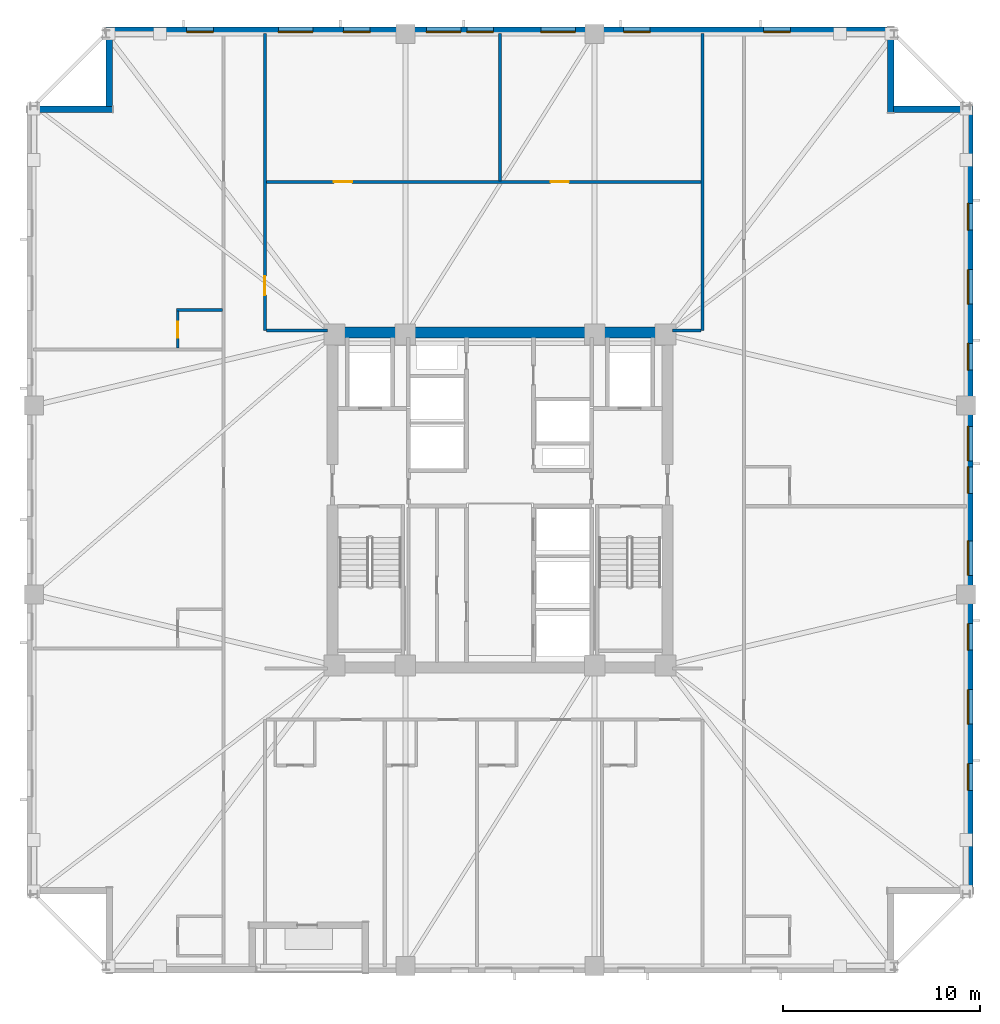
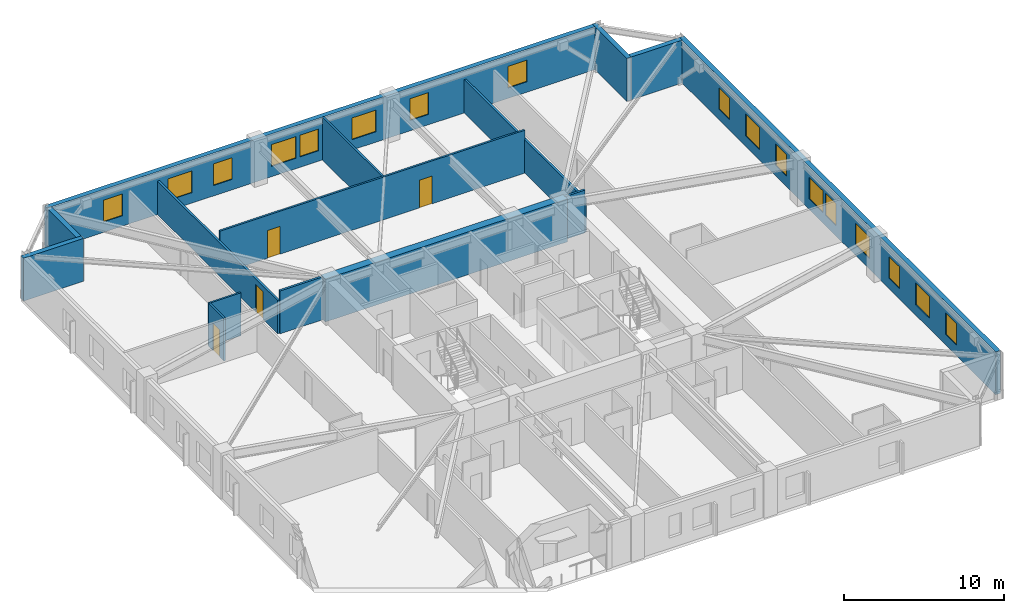
# One storey, part 5 of 11: 17 windows, 15 walls, 4 doors, 21 openings.
"""IFC4 building model written with IfcOpenShell, lengths in metres."""

from ifc_helpers import new_model, si_unit, direction, frame, frame_2d, origin, place, context, subcontext, project, spatial, rectangle, extrude, material, layer, layer_set, type_object, element, fill, save


model = new_model("IFC4")

# Units and contexts
model_context = context("Model", 3, precision=1e-05, world=origin(), true_north=direction((0.0, 1.0)))
body_context = subcontext(model_context, "Body", "Model", "MODEL_VIEW")
ifc_project = project(units=[si_unit("LENGTHUNIT", "METRE"), si_unit("AREAUNIT", "SQUARE_METRE"), si_unit("VOLUMEUNIT", "CUBIC_METRE"), si_unit("PLANEANGLEUNIT", "RADIAN"), si_unit("MASSUNIT", "GRAM", prefix="KILO")], contexts=[model_context])

# Site, building, storey
site_placement = place(None, origin())
site = spatial("IfcSite", under=ifc_project, at=site_placement, CompositionType="ELEMENT")
building_placement = place(site_placement, origin())
building = spatial("IfcBuilding", under=site, at=building_placement, Name="Cairnveth Concourse Tower", CompositionType="ELEMENT")
storey_placement = place(building_placement, frame((0.0, 0.0, 141.0)))
storey = spatial("IfcBuildingStorey", under=building, at=storey_placement, Name="L38", CompositionType="ELEMENT", Elevation=141.0)

# Wall, opening, door
ifc_material_1 = material(Name="Gypsum Plasterboard Partition", Category="gypsum")
ifc_layer_1 = layer(ifc_material_1, 0.159912109375)
ifc_layer_set_1 = layer_set([ifc_layer_1], Name="Gypsum Plasterboard Partition")
wall_type_1 = type_object("IfcWallType", Name="ACOUSTIC PARTY WALL 180", PredefinedType="PARTITIONING", material=ifc_layer_set_1)
wall_1_placement = place(storey_placement, frame((40.074951171875, 47.60009765625, 0.0), z_axis=(0.0, 0.0, 1.0), x_axis=(0.0, 1.0, 0.0)))
wall_1 = element("IfcWall", 1, at=wall_1_placement, inside=storey, type_object=wall_type_1, Name="Interior Wall IW-L38-038", PredefinedType="PARTITIONING", context=body_context, shape_type="SweptSolid", body=[
    extrude(rectangle(XDim=15.074951171875, YDim=0.159912109375, at=frame_2d((7.53759765625, 0.0))), origin(), (0.0, 0.0, 1.0), 2.554931640625),
])
opening_1_placement = place(wall_1_placement, frame((1.800048828125, 0.0, 0.0)))
opening_1 = element("IfcOpeningElement", 2, at=opening_1_placement, cuts=wall_1, Name="Opening ID11", PredefinedType="OPENING", context=body_context, shape_type="SweptSolid", body=[
    extrude(rectangle(XDim=0.9599609375, YDim=2.1201171875, at=frame_2d((0.47998046875, 1.06005859375))), frame((0.0, 0.08984375, 0.0), z_axis=(0.0, -1.0, 0.0), x_axis=(1.0, 0.0, 0.0)), (0.0, 0.0, 1.0), 0.179931640625),
])
ifc_material_2 = material(Name="Solid Core Hardwood Timber Leaf", Category="wood")
door_type_1 = type_object("IfcDoorType", Name="INTERIOR SINGLE DOOR 960X2150", OperationType="NOTDEFINED", PredefinedType="DOOR", material=ifc_material_2)
door_1_placement = place(opening_1_placement, origin())
door_1 = element("IfcDoor", 3, at=door_1_placement, inside=storey, type_object=door_type_1, Name="Interior Door DR-L38-015", OperationType="SINGLE_SWING_LEFT", OverallHeight=2.1201171875, OverallWidth=0.9599609375, PredefinedType="DOOR", context=body_context, shape_type="SweptSolid", body=[
    extrude(rectangle(XDim=0.9599609375, YDim=2.1201171875, at=frame_2d((0.47998046875, 1.06005859375))), frame((0.0, 0.02490234375, 0.0), z_axis=(0.0, -1.0, 0.0), x_axis=(1.0, 0.0, 0.0)), (0.0, 0.0, 1.0), 0.050048828125),
])
fill(opening_1, door_1)

# Walls
wall_2_placement = place(storey_placement, frame((40.139892578125, 47.60009765625, 0.0), z_axis=(0.0, 0.0, 1.0), x_axis=(1.0, 0.0, 0.0)))
element("IfcWall", 4, at=wall_2_placement, inside=storey, type_object=wall_type_1, Name="Interior Wall IW-L38-040", PredefinedType="PARTITIONING", context=body_context, shape_type="SweptSolid", body=[
    extrude(rectangle(XDim=3.09521484375, YDim=0.159912109375, at=frame_2d((1.547607421875, 0.0))), origin(), (0.0, 0.0, 1.0), 3.280029296875),
])
wall_3_placement = place(storey_placement, frame((62.27490234375, 47.60009765625, 0.0), z_axis=(0.0, 0.0, 1.0), x_axis=(0.0, 1.0, 0.0)))
element("IfcWall", 5, at=wall_3_placement, inside=storey, type_object=wall_type_1, Name="Interior Wall IW-L38-043", PredefinedType="PARTITIONING", context=body_context, shape_type="SweptSolid", body=[
    extrude(rectangle(XDim=15.074951171875, YDim=0.159912109375, at=frame_2d((7.53759765625, 0.0))), origin(), (0.0, 0.0, 1.0), 2.554931640625),
])
wall_4_placement = place(storey_placement, frame((60.764892578125, 47.60009765625, 0.0), z_axis=(0.0, 0.0, 1.0), x_axis=(1.0, 0.0, 0.0)))
element("IfcWall", 6, at=wall_4_placement, inside=storey, type_object=wall_type_1, Name="Interior Wall IW-L38-045", PredefinedType="PARTITIONING", context=body_context, shape_type="SweptSolid", body=[
    extrude(rectangle(XDim=1.445068359375, YDim=0.159912109375, at=frame_2d((0.72265625, 0.0))), origin(), (0.0, 0.0, 1.0), 3.280029296875),
])
ifc_material_3 = material(Name="Concrete N80 (80 MPa)", Category="concrete")
ifc_layer_2 = layer(ifc_material_3, 0.550048828125)
ifc_layer_set_2 = layer_set([ifc_layer_2], Name="Concrete N80 (80 MPa)")
wall_type_2 = type_object("IfcWallType", Name="CORE SHEAR WALL 550", PredefinedType="SHEAR", material=ifc_layer_set_2)
wall_5_placement = place(storey_placement, frame((43.22509765625, 47.5, 0.0), z_axis=(0.0, 0.0, 1.0), x_axis=(1.0, 0.0, 0.0)))
element("IfcWall", 7, at=wall_5_placement, inside=storey, type_object=wall_type_2, Name="Core North Shear Wall L38", PredefinedType="SHEAR", context=body_context, shape_type="SweptSolid", body=[
    extrude(rectangle(XDim=17.5498046875, YDim=0.550048828125, at=frame_2d((8.77490234375, 0.0))), origin(), (0.0, 0.0, 1.0), 3.280029296875),
])

# Wall, openings, doors
ifc_layer_3 = layer(ifc_material_1, 0.139892578125)
ifc_layer_set_3 = layer_set([ifc_layer_3], Name="Gypsum Plasterboard Partition")
wall_type_3 = type_object("IfcWallType", Name="GYPSUM STUD PARTITION 140", PredefinedType="PARTITIONING", material=ifc_layer_set_3)
wall_6_placement = place(storey_placement, frame((40.139892578125, 55.139892578125, 0.0), z_axis=(0.0, 0.0, 1.0), x_axis=(1.0, 0.0, 0.0)))
wall_6 = element("IfcWall", 8, at=wall_6_placement, inside=storey, type_object=wall_type_3, Name="Interior Wall IW-L38-047", PredefinedType="PARTITIONING", context=body_context, shape_type="SweptSolid", body=[
    extrude(rectangle(XDim=22.070068359375, YDim=0.139892578125, at=frame_2d((11.03515625, 0.0))), origin(), (0.0, 0.0, 1.0), 3.280029296875),
])
opening_2_placement = place(wall_6_placement, frame((3.43505859375, 0.0, 0.0)))
opening_2 = element("IfcOpeningElement", 9, at=opening_2_placement, cuts=wall_6, Name="Opening ID15", PredefinedType="OPENING", context=body_context, shape_type="SweptSolid", body=[
    extrude(rectangle(XDim=0.919921875, YDim=2.1201171875, at=frame_2d((0.4599609375, 1.06005859375))), frame((0.0, 0.079833984375, 0.0), z_axis=(0.0, -1.0, 0.0), x_axis=(1.0, 0.0, 0.0)), (0.0, 0.0, 1.0), 0.159912109375),
])
opening_3_placement = place(wall_6_placement, frame((14.43505859375, 0.0, 0.0)))
opening_3 = element("IfcOpeningElement", 10, at=opening_3_placement, cuts=wall_6, Name="Opening ID15", PredefinedType="OPENING", context=body_context, shape_type="SweptSolid", body=[
    extrude(rectangle(XDim=0.919921875, YDim=2.1201171875, at=frame_2d((0.4599609375, 1.06005859375))), frame((0.0, 0.079833984375, 0.0), z_axis=(0.0, -1.0, 0.0), x_axis=(1.0, 0.0, 0.0)), (0.0, 0.0, 1.0), 0.159912109375),
])
door_type_2 = type_object("IfcDoorType", Name="INTERIOR SINGLE DOOR 920X2100", OperationType="NOTDEFINED", PredefinedType="DOOR", material=ifc_material_2)
door_2_placement = place(opening_2_placement, origin())
door_2 = element("IfcDoor", 11, at=door_2_placement, inside=storey, type_object=door_type_2, Name="Interior Door DR-L38-016", OperationType="SINGLE_SWING_RIGHT", OverallHeight=2.1201171875, OverallWidth=0.919921875, PredefinedType="DOOR", context=body_context, shape_type="SweptSolid", body=[
    extrude(rectangle(XDim=0.919921875, YDim=2.1201171875, at=frame_2d((0.4599609375, 1.06005859375))), frame((0.0, 0.02490234375, 0.0), z_axis=(0.0, -1.0, 0.0), x_axis=(1.0, 0.0, 0.0)), (0.0, 0.0, 1.0), 0.050048828125),
])
fill(opening_2, door_2)
door_3_placement = place(opening_3_placement, origin())
door_3 = element("IfcDoor", 12, at=door_3_placement, inside=storey, type_object=door_type_2, Name="Interior Door DR-L38-017", OperationType="SINGLE_SWING_LEFT", OverallHeight=2.1201171875, OverallWidth=0.919921875, PredefinedType="DOOR", context=body_context, shape_type="SweptSolid", body=[
    extrude(rectangle(XDim=0.919921875, YDim=2.1201171875, at=frame_2d((0.4599609375, 1.06005859375))), frame((0.0, 0.02490234375, 0.0), z_axis=(0.0, -1.0, 0.0), x_axis=(1.0, 0.0, 0.0)), (0.0, 0.0, 1.0), 0.050048828125),
])
fill(opening_3, door_3)

# Walls
wall_7_placement = place(storey_placement, frame((52.0, 55.195068359375, 0.0), z_axis=(0.0, 0.0, 1.0), x_axis=(0.0, 1.0, 0.0)))
element("IfcWall", 13, at=wall_7_placement, inside=storey, type_object=wall_type_3, Name="Interior Wall IW-L38-048", PredefinedType="PARTITIONING", context=body_context, shape_type="SweptSolid", body=[
    extrude(rectangle(XDim=7.47998046875, YDim=0.139892578125, at=frame_2d((3.739990234375, 0.0))), origin(), (0.0, 0.0, 1.0), 3.280029296875),
])
ifc_layer_4 = layer(ifc_material_1, 0.1298828125)
ifc_layer_set_4 = layer_set([ifc_layer_4], Name="Gypsum Plasterboard Partition")
wall_type_4 = type_object("IfcWallType", Name="WET AREA PARTITION 140", PredefinedType="PLUMBINGWALL", material=ifc_layer_set_4)
wall_8_placement = place(storey_placement, frame((35.594970703125, 48.640625, 0.0), z_axis=(0.0, 0.0, 1.0), x_axis=(1.0, 0.0, 0.0)))
element("IfcWall", 14, at=wall_8_placement, inside=storey, type_object=wall_type_4, Name="Interior Wall IW-L38-068", PredefinedType="PLUMBINGWALL", context=body_context, shape_type="SweptSolid", body=[
    extrude(rectangle(XDim=2.31494140625, YDim=0.1298828125, at=frame_2d((1.157470703125, 0.0))), origin(), (0.0, 0.0, 1.0), 3.280029296875),
])

# Wall, opening, door
wall_9_placement = place(storey_placement, frame((35.64501953125, 46.70556640625, 0.0), z_axis=(0.0, 0.0, 1.0), x_axis=(0.0, 1.0, 0.0)))
wall_9 = element("IfcWall", 15, at=wall_9_placement, inside=storey, type_object=wall_type_4, Name="Interior Wall IW-L38-069", PredefinedType="PLUMBINGWALL", context=body_context, shape_type="SweptSolid", body=[
    extrude(rectangle(XDim=1.885009765625, YDim=0.1298828125, at=frame_2d((0.9423828125, 0.0))), origin(), (0.0, 0.0, 1.0), 3.280029296875),
])
opening_4_placement = place(wall_9_placement, frame((0.52490234375, 0.0, 0.0)))
opening_4 = element("IfcOpeningElement", 16, at=opening_4_placement, cuts=wall_9, Name="Opening ID22", PredefinedType="OPENING", context=body_context, shape_type="SweptSolid", body=[
    extrude(rectangle(XDim=0.820068359375, YDim=2.10009765625, at=frame_2d((0.41015625, 1.050048828125))), frame((0.0, 0.074951171875, 0.0), z_axis=(0.0, -1.0, 0.0), x_axis=(1.0, 0.0, 0.0)), (0.0, 0.0, 1.0), 0.14990234375),
])
door_type_3 = type_object("IfcDoorType", Name="INTERIOR WC DOOR 820X2100", OperationType="NOTDEFINED", PredefinedType="DOOR", material=ifc_material_2)
door_4_placement = place(opening_4_placement, origin())
door_4 = element("IfcDoor", 17, at=door_4_placement, inside=storey, type_object=door_type_3, Name="En-Suite Door L38-W3", OperationType="SINGLE_SWING_RIGHT", OverallHeight=2.10009765625, OverallWidth=0.820068359375, PredefinedType="DOOR", context=body_context, shape_type="SweptSolid", body=[
    extrude(rectangle(XDim=0.820068359375, YDim=2.10009765625, at=frame_2d((0.41015625, 1.050048828125))), frame((0.0, 0.02490234375, 0.0), z_axis=(0.0, -1.0, 0.0), x_axis=(1.0, 0.0, 0.0)), (0.0, 0.0, 1.0), 0.050048828125),
])
fill(opening_4, door_4)

# Walls
ifc_material_4 = material(Name="Hawthorn Red-Ochre Fired Clay Brick Masonry", Category="masonry")
ifc_layer_5 = layer(ifc_material_4, 0.340087890625)
ifc_layer_set_5 = layer_set([ifc_layer_5], Name="Hawthorn Red-Ochre Fired Clay Brick Masonry")
wall_type_5 = type_object("IfcWallType", Name="ZONE 2 BRICK PIER SPANDREL WALL 340", PredefinedType="SOLIDWALL", material=ifc_layer_set_5)
wall_10_placement = place(storey_placement, frame((28.0, 58.830078125, 0.0), z_axis=(0.0, 0.0, 1.0), x_axis=(1.0, 0.0, 0.0)))
element("IfcWall", 18, at=wall_10_placement, inside=storey, type_object=wall_type_5, Name="Exterior Wall EW-L38-S04", PredefinedType="SOLIDWALL", context=body_context, shape_type="SweptSolid", body=[
    extrude(rectangle(XDim=4.340087890625, YDim=0.340087890625, at=frame_2d((2.169921875, 0.0))), origin(), (0.0, 0.0, 1.0), 3.280029296875),
])
wall_11_placement = place(storey_placement, frame((32.169921875, 58.97802734375, 0.0), z_axis=(0.0, 0.0, 1.0), x_axis=(0.0, 1.0, 0.0)))
element("IfcWall", 19, at=wall_11_placement, inside=storey, type_object=wall_type_5, Name="Exterior Wall EW-L38-S05", PredefinedType="SOLIDWALL", context=body_context, shape_type="SweptSolid", body=[
    extrude(rectangle(XDim=3.703857421875, YDim=0.340087890625, at=frame_2d((1.85205078125, 0.0))), origin(), (0.0, 0.0, 1.0), 3.280029296875),
])

# Wall, openings, windows
wall_12_placement = place(storey_placement, frame((32.0, 62.830078125, 0.0), z_axis=(0.0, 0.0, 1.0), x_axis=(1.0, 0.0, 0.0)))
wall_12 = element("IfcWall", 20, at=wall_12_placement, inside=storey, type_object=wall_type_5, Name="Exterior Wall EW-L38-S06", PredefinedType="SOLIDWALL", context=body_context, shape_type="SweptSolid", body=[
    extrude(rectangle(XDim=39.681884765625, YDim=0.340087890625, at=frame_2d((19.8408203125, 0.0))), origin(), (0.0, 0.0, 1.0), 3.280029296875),
])
opening_5_placement = place(wall_12_placement, frame((4.101806640625, 0.0, 0.800048828125)))
opening_5 = element("IfcOpeningElement", 21, at=opening_5_placement, cuts=wall_12, Name="Opening W02", PredefinedType="OPENING", context=body_context, shape_type="SweptSolid", body=[
    extrude(rectangle(XDim=1.35009765625, YDim=1.659912109375, at=frame_2d((0.675048828125, 0.830078125))), frame((0.0, 0.179931640625, 0.0), z_axis=(0.0, -1.0, 0.0), x_axis=(1.0, 0.0, 0.0)), (0.0, 0.0, 1.0), 0.360107421875),
])
opening_6_placement = place(wall_12_placement, frame((8.75537109375, 0.0, 0.800048828125)))
opening_6 = element("IfcOpeningElement", 22, at=opening_6_placement, cuts=wall_12, Name="Opening W06", PredefinedType="OPENING", context=body_context, shape_type="SweptSolid", body=[
    extrude(rectangle(XDim=1.75, YDim=1.659912109375, at=frame_2d((0.875, 0.830078125))), frame((0.0, 0.179931640625, 0.0), z_axis=(0.0, -1.0, 0.0), x_axis=(1.0, 0.0, 0.0)), (0.0, 0.0, 1.0), 0.360107421875),
])
opening_7_placement = place(wall_12_placement, frame((12.058837890625, 0.0, 0.800048828125)))
opening_7 = element("IfcOpeningElement", 23, at=opening_7_placement, cuts=wall_12, Name="Opening W02", PredefinedType="OPENING", context=body_context, shape_type="SweptSolid", body=[
    extrude(rectangle(XDim=1.35009765625, YDim=1.659912109375, at=frame_2d((0.675048828125, 0.830078125))), frame((0.0, 0.179931640625, 0.0), z_axis=(0.0, -1.0, 0.0), x_axis=(1.0, 0.0, 0.0)), (0.0, 0.0, 1.0), 0.360107421875),
])
opening_8_placement = place(wall_12_placement, frame((16.262451171875, 0.0, 0.800048828125)))
opening_8 = element("IfcOpeningElement", 24, at=opening_8_placement, cuts=wall_12, Name="Opening W06", PredefinedType="OPENING", context=body_context, shape_type="SweptSolid", body=[
    extrude(rectangle(XDim=1.75, YDim=1.659912109375, at=frame_2d((0.875, 0.830078125))), frame((0.0, 0.179931640625, 0.0), z_axis=(0.0, -1.0, 0.0), x_axis=(1.0, 0.0, 0.0)), (0.0, 0.0, 1.0), 0.360107421875),
])
opening_9_placement = place(wall_12_placement, frame((18.31591796875, 0.0, 0.800048828125)))
opening_9 = element("IfcOpeningElement", 25, at=opening_9_placement, cuts=wall_12, Name="Opening W02", PredefinedType="OPENING", context=body_context, shape_type="SweptSolid", body=[
    extrude(rectangle(XDim=1.35009765625, YDim=1.659912109375, at=frame_2d((0.675048828125, 0.830078125))), frame((0.0, 0.179931640625, 0.0), z_axis=(0.0, -1.0, 0.0), x_axis=(1.0, 0.0, 0.0)), (0.0, 0.0, 1.0), 0.360107421875),
])
opening_10_placement = place(wall_12_placement, frame((22.069580078125, 0.0, 0.800048828125)))
opening_10 = element("IfcOpeningElement", 26, at=opening_10_placement, cuts=wall_12, Name="Opening W06", PredefinedType="OPENING", context=body_context, shape_type="SweptSolid", body=[
    extrude(rectangle(XDim=1.75, YDim=1.659912109375, at=frame_2d((0.875, 0.830078125))), frame((0.0, 0.179931640625, 0.0), z_axis=(0.0, -1.0, 0.0), x_axis=(1.0, 0.0, 0.0)), (0.0, 0.0, 1.0), 0.360107421875),
])
opening_11_placement = place(wall_12_placement, frame((26.273193359375, 0.0, 0.800048828125)))
opening_11 = element("IfcOpeningElement", 27, at=opening_11_placement, cuts=wall_12, Name="Opening W02", PredefinedType="OPENING", context=body_context, shape_type="SweptSolid", body=[
    extrude(rectangle(XDim=1.35009765625, YDim=1.659912109375, at=frame_2d((0.675048828125, 0.830078125))), frame((0.0, 0.179931640625, 0.0), z_axis=(0.0, -1.0, 0.0), x_axis=(1.0, 0.0, 0.0)), (0.0, 0.0, 1.0), 0.360107421875),
])
opening_12_placement = place(wall_12_placement, frame((33.380126953125, 0.0, 0.800048828125)))
opening_12 = element("IfcOpeningElement", 28, at=opening_12_placement, cuts=wall_12, Name="Opening W02", PredefinedType="OPENING", context=body_context, shape_type="SweptSolid", body=[
    extrude(rectangle(XDim=1.35009765625, YDim=1.659912109375, at=frame_2d((0.675048828125, 0.830078125))), frame((0.0, 0.179931640625, 0.0), z_axis=(0.0, -1.0, 0.0), x_axis=(1.0, 0.0, 0.0)), (0.0, 0.0, 1.0), 0.360107421875),
])
ifc_material_5 = material(Name="Double Glazed Low-E Clear Glass", Category="glass")
window_type_1 = type_object("IfcWindowType", Name="DEEP-SET GOTHIC LANCET WINDOW 1350X1800", PartitioningType="DOUBLE_PANEL_VERTICAL", PredefinedType="WINDOW", material=ifc_material_5)
window_1_placement = place(opening_5_placement, origin())
window_1 = element("IfcWindow", 29, at=window_1_placement, inside=storey, type_object=window_type_1, Name="Gothic Lancet Window L38-6-1", OverallHeight=1.659912109375, OverallWidth=1.35009765625, PartitioningType="SINGLE_PANEL", PredefinedType="WINDOW", context=body_context, shape_type="SweptSolid", body=[
    extrude(rectangle(XDim=1.35009765625, YDim=1.659912109375, at=frame_2d((0.675048828125, 0.830078125))), frame((0.0, -0.050048828125, 0.0), z_axis=(0.0, -1.0, 0.0), x_axis=(1.0, 0.0, 0.0)), (0.0, 0.0, 1.0), 0.06005859375),
])
fill(opening_5, window_1)
window_2_placement = place(opening_7_placement, origin())
window_2 = element("IfcWindow", 30, at=window_2_placement, inside=storey, type_object=window_type_1, Name="Gothic Lancet Window L38-6-3", OverallHeight=1.659912109375, OverallWidth=1.35009765625, PartitioningType="SINGLE_PANEL", PredefinedType="WINDOW", context=body_context, shape_type="SweptSolid", body=[
    extrude(rectangle(XDim=1.35009765625, YDim=1.659912109375, at=frame_2d((0.675048828125, 0.830078125))), frame((0.0, -0.050048828125, 0.0), z_axis=(0.0, -1.0, 0.0), x_axis=(1.0, 0.0, 0.0)), (0.0, 0.0, 1.0), 0.06005859375),
])
fill(opening_7, window_2)
window_3_placement = place(opening_9_placement, origin())
window_3 = element("IfcWindow", 31, at=window_3_placement, inside=storey, type_object=window_type_1, Name="Gothic Lancet Window L38-6-5", OverallHeight=1.659912109375, OverallWidth=1.35009765625, PartitioningType="SINGLE_PANEL", PredefinedType="WINDOW", context=body_context, shape_type="SweptSolid", body=[
    extrude(rectangle(XDim=1.35009765625, YDim=1.659912109375, at=frame_2d((0.675048828125, 0.830078125))), frame((0.0, -0.050048828125, 0.0), z_axis=(0.0, -1.0, 0.0), x_axis=(1.0, 0.0, 0.0)), (0.0, 0.0, 1.0), 0.06005859375),
])
fill(opening_9, window_3)
window_4_placement = place(opening_11_placement, origin())
window_4 = element("IfcWindow", 32, at=window_4_placement, inside=storey, type_object=window_type_1, Name="Gothic Lancet Window L38-6-7", OverallHeight=1.659912109375, OverallWidth=1.35009765625, PartitioningType="SINGLE_PANEL", PredefinedType="WINDOW", context=body_context, shape_type="SweptSolid", body=[
    extrude(rectangle(XDim=1.35009765625, YDim=1.659912109375, at=frame_2d((0.675048828125, 0.830078125))), frame((0.0, -0.050048828125, 0.0), z_axis=(0.0, -1.0, 0.0), x_axis=(1.0, 0.0, 0.0)), (0.0, 0.0, 1.0), 0.06005859375),
])
fill(opening_11, window_4)
window_5_placement = place(opening_12_placement, origin())
window_5 = element("IfcWindow", 33, at=window_5_placement, inside=storey, type_object=window_type_1, Name="Gothic Lancet Window L38-6-9", OverallHeight=1.659912109375, OverallWidth=1.35009765625, PartitioningType="SINGLE_PANEL", PredefinedType="WINDOW", context=body_context, shape_type="SweptSolid", body=[
    extrude(rectangle(XDim=1.35009765625, YDim=1.659912109375, at=frame_2d((0.675048828125, 0.830078125))), frame((0.0, -0.050048828125, 0.0), z_axis=(0.0, -1.0, 0.0), x_axis=(1.0, 0.0, 0.0)), (0.0, 0.0, 1.0), 0.06005859375),
])
fill(opening_12, window_5)
window_type_2 = type_object("IfcWindowType", Name="DEEP-SET HOTEL SUITE WINDOW 1750X1800", PartitioningType="DOUBLE_PANEL_VERTICAL", PredefinedType="WINDOW", material=ifc_material_5)
window_6_placement = place(opening_6_placement, origin())
window_6 = element("IfcWindow", 34, at=window_6_placement, inside=storey, type_object=window_type_2, Name="Gothic Lancet Window L38-6-2", OverallHeight=1.659912109375, OverallWidth=1.75, PartitioningType="SINGLE_PANEL", PredefinedType="WINDOW", context=body_context, shape_type="SweptSolid", body=[
    extrude(rectangle(XDim=1.75, YDim=1.659912109375, at=frame_2d((0.875, 0.830078125))), frame((0.0, -0.050048828125, 0.0), z_axis=(0.0, -1.0, 0.0), x_axis=(1.0, 0.0, 0.0)), (0.0, 0.0, 1.0), 0.06005859375),
])
fill(opening_6, window_6)
window_7_placement = place(opening_8_placement, origin())
window_7 = element("IfcWindow", 35, at=window_7_placement, inside=storey, type_object=window_type_2, Name="Gothic Lancet Window L38-6-4", OverallHeight=1.659912109375, OverallWidth=1.75, PartitioningType="SINGLE_PANEL", PredefinedType="WINDOW", context=body_context, shape_type="SweptSolid", body=[
    extrude(rectangle(XDim=1.75, YDim=1.659912109375, at=frame_2d((0.875, 0.830078125))), frame((0.0, -0.050048828125, 0.0), z_axis=(0.0, -1.0, 0.0), x_axis=(1.0, 0.0, 0.0)), (0.0, 0.0, 1.0), 0.06005859375),
])
fill(opening_8, window_7)
window_8_placement = place(opening_10_placement, origin())
window_8 = element("IfcWindow", 36, at=window_8_placement, inside=storey, type_object=window_type_2, Name="Gothic Lancet Window L38-6-6", OverallHeight=1.659912109375, OverallWidth=1.75, PartitioningType="SINGLE_PANEL", PredefinedType="WINDOW", context=body_context, shape_type="SweptSolid", body=[
    extrude(rectangle(XDim=1.75, YDim=1.659912109375, at=frame_2d((0.875, 0.830078125))), frame((0.0, -0.050048828125, 0.0), z_axis=(0.0, -1.0, 0.0), x_axis=(1.0, 0.0, 0.0)), (0.0, 0.0, 1.0), 0.06005859375),
])
fill(opening_10, window_8)

# Walls
wall_13_placement = place(storey_placement, frame((71.830078125, 63.0, 0.0), z_axis=(0.0, 0.0, 1.0), x_axis=(0.0, -1.0, 0.0)))
element("IfcWall", 37, at=wall_13_placement, inside=storey, type_object=wall_type_5, Name="Exterior Wall EW-L38-S07", PredefinedType="SOLIDWALL", context=body_context, shape_type="SweptSolid", body=[
    extrude(rectangle(XDim=4.340087890625, YDim=0.340087890625, at=frame_2d((2.169921875, 0.0))), origin(), (0.0, 0.0, 1.0), 3.280029296875),
])
wall_14_placement = place(storey_placement, frame((71.97802734375, 58.830078125, 0.0), z_axis=(0.0, 0.0, 1.0), x_axis=(1.0, 0.0, 0.0)))
element("IfcWall", 38, at=wall_14_placement, inside=storey, type_object=wall_type_5, Name="Exterior Wall EW-L38-S08", PredefinedType="SOLIDWALL", context=body_context, shape_type="SweptSolid", body=[
    extrude(rectangle(XDim=3.703857421875, YDim=0.340087890625, at=frame_2d((1.85205078125, 0.0))), origin(), (0.0, 0.0, 1.0), 3.280029296875),
])

# Wall, openings, windows
wall_15_placement = place(storey_placement, frame((75.830078125, 59.0, 0.0), z_axis=(0.0, 0.0, 1.0), x_axis=(0.0, -1.0, 0.0)))
wall_15 = element("IfcWall", 39, at=wall_15_placement, inside=storey, type_object=wall_type_5, Name="Exterior Wall EW-L38-S09", PredefinedType="SOLIDWALL", context=body_context, shape_type="SweptSolid", body=[
    extrude(rectangle(XDim=39.681884765625, YDim=0.340087890625, at=frame_2d((19.8408203125, 0.0))), origin(), (0.0, 0.0, 1.0), 3.280029296875),
])
opening_13_placement = place(wall_15_placement, frame((4.951904296875, 0.0, 0.800048828125)))
opening_13 = element("IfcOpeningElement", 40, at=opening_13_placement, cuts=wall_15, Name="Opening W02", PredefinedType="OPENING", context=body_context, shape_type="SweptSolid", body=[
    extrude(rectangle(XDim=1.35009765625, YDim=1.659912109375, at=frame_2d((0.675048828125, 0.830078125))), frame((0.0, 0.179931640625, 0.0), z_axis=(0.0, -1.0, 0.0), x_axis=(1.0, 0.0, 0.0)), (0.0, 0.0, 1.0), 0.360107421875),
])
opening_14_placement = place(wall_15_placement, frame((8.305419921875, 0.0, 0.800048828125)))
opening_14 = element("IfcOpeningElement", 41, at=opening_14_placement, cuts=wall_15, Name="Opening W06", PredefinedType="OPENING", context=body_context, shape_type="SweptSolid", body=[
    extrude(rectangle(XDim=1.75, YDim=1.659912109375, at=frame_2d((0.875, 0.830078125))), frame((0.0, 0.179931640625, 0.0), z_axis=(0.0, -1.0, 0.0), x_axis=(1.0, 0.0, 0.0)), (0.0, 0.0, 1.0), 0.360107421875),
])
opening_15_placement = place(wall_15_placement, frame((12.058837890625, 0.0, 0.800048828125)))
opening_15 = element("IfcOpeningElement", 42, at=opening_15_placement, cuts=wall_15, Name="Opening W02", PredefinedType="OPENING", context=body_context, shape_type="SweptSolid", body=[
    extrude(rectangle(XDim=1.35009765625, YDim=1.659912109375, at=frame_2d((0.675048828125, 0.830078125))), frame((0.0, 0.179931640625, 0.0), z_axis=(0.0, -1.0, 0.0), x_axis=(1.0, 0.0, 0.0)), (0.0, 0.0, 1.0), 0.360107421875),
])
opening_16_placement = place(wall_15_placement, frame((16.262451171875, 0.0, 0.800048828125)))
opening_16 = element("IfcOpeningElement", 43, at=opening_16_placement, cuts=wall_15, Name="Opening W06", PredefinedType="OPENING", context=body_context, shape_type="SweptSolid", body=[
    extrude(rectangle(XDim=1.75, YDim=1.659912109375, at=frame_2d((0.875, 0.830078125))), frame((0.0, 0.179931640625, 0.0), z_axis=(0.0, -1.0, 0.0), x_axis=(1.0, 0.0, 0.0)), (0.0, 0.0, 1.0), 0.360107421875),
])
opening_17_placement = place(wall_15_placement, frame((18.31591796875, 0.0, 0.800048828125)))
opening_17 = element("IfcOpeningElement", 44, at=opening_17_placement, cuts=wall_15, Name="Opening W02", PredefinedType="OPENING", context=body_context, shape_type="SweptSolid", body=[
    extrude(rectangle(XDim=1.35009765625, YDim=1.659912109375, at=frame_2d((0.675048828125, 0.830078125))), frame((0.0, 0.179931640625, 0.0), z_axis=(0.0, -1.0, 0.0), x_axis=(1.0, 0.0, 0.0)), (0.0, 0.0, 1.0), 0.360107421875),
])
opening_18_placement = place(wall_15_placement, frame((22.069580078125, 0.0, 0.800048828125)))
opening_18 = element("IfcOpeningElement", 45, at=opening_18_placement, cuts=wall_15, Name="Opening W06", PredefinedType="OPENING", context=body_context, shape_type="SweptSolid", body=[
    extrude(rectangle(XDim=1.75, YDim=1.659912109375, at=frame_2d((0.875, 0.830078125))), frame((0.0, 0.179931640625, 0.0), z_axis=(0.0, -1.0, 0.0), x_axis=(1.0, 0.0, 0.0)), (0.0, 0.0, 1.0), 0.360107421875),
])
opening_19_placement = place(wall_15_placement, frame((26.273193359375, 0.0, 0.800048828125)))
opening_19 = element("IfcOpeningElement", 46, at=opening_19_placement, cuts=wall_15, Name="Opening W02", PredefinedType="OPENING", context=body_context, shape_type="SweptSolid", body=[
    extrude(rectangle(XDim=1.35009765625, YDim=1.659912109375, at=frame_2d((0.675048828125, 0.830078125))), frame((0.0, 0.179931640625, 0.0), z_axis=(0.0, -1.0, 0.0), x_axis=(1.0, 0.0, 0.0)), (0.0, 0.0, 1.0), 0.360107421875),
])
opening_20_placement = place(wall_15_placement, frame((29.626708984375, 0.0, 0.800048828125)))
opening_20 = element("IfcOpeningElement", 47, at=opening_20_placement, cuts=wall_15, Name="Opening W06", PredefinedType="OPENING", context=body_context, shape_type="SweptSolid", body=[
    extrude(rectangle(XDim=1.75, YDim=1.659912109375, at=frame_2d((0.875, 0.830078125))), frame((0.0, 0.179931640625, 0.0), z_axis=(0.0, -1.0, 0.0), x_axis=(1.0, 0.0, 0.0)), (0.0, 0.0, 1.0), 0.360107421875),
])
opening_21_placement = place(wall_15_placement, frame((33.380126953125, 0.0, 0.800048828125)))
opening_21 = element("IfcOpeningElement", 48, at=opening_21_placement, cuts=wall_15, Name="Opening W02", PredefinedType="OPENING", context=body_context, shape_type="SweptSolid", body=[
    extrude(rectangle(XDim=1.35009765625, YDim=1.659912109375, at=frame_2d((0.675048828125, 0.830078125))), frame((0.0, 0.179931640625, 0.0), z_axis=(0.0, -1.0, 0.0), x_axis=(1.0, 0.0, 0.0)), (0.0, 0.0, 1.0), 0.360107421875),
])
window_9_placement = place(opening_13_placement, origin())
window_9 = element("IfcWindow", 49, at=window_9_placement, inside=storey, type_object=window_type_1, Name="Gothic Lancet Window L38-9-1", OverallHeight=1.659912109375, OverallWidth=1.35009765625, PartitioningType="SINGLE_PANEL", PredefinedType="WINDOW", context=body_context, shape_type="SweptSolid", body=[
    extrude(rectangle(XDim=1.35009765625, YDim=1.659912109375, at=frame_2d((0.675048828125, 0.830078125))), frame((0.0, -0.050048828125, 0.0), z_axis=(0.0, -1.0, 0.0), x_axis=(1.0, 0.0, 0.0)), (0.0, 0.0, 1.0), 0.06005859375),
])
fill(opening_13, window_9)
window_10_placement = place(opening_15_placement, origin())
window_10 = element("IfcWindow", 50, at=window_10_placement, inside=storey, type_object=window_type_1, Name="Gothic Lancet Window L38-9-3", OverallHeight=1.659912109375, OverallWidth=1.35009765625, PartitioningType="SINGLE_PANEL", PredefinedType="WINDOW", context=body_context, shape_type="SweptSolid", body=[
    extrude(rectangle(XDim=1.35009765625, YDim=1.659912109375, at=frame_2d((0.675048828125, 0.830078125))), frame((0.0, -0.050048828125, 0.0), z_axis=(0.0, -1.0, 0.0), x_axis=(1.0, 0.0, 0.0)), (0.0, 0.0, 1.0), 0.06005859375),
])
fill(opening_15, window_10)
window_11_placement = place(opening_17_placement, origin())
window_11 = element("IfcWindow", 51, at=window_11_placement, inside=storey, type_object=window_type_1, Name="Gothic Lancet Window L38-9-5", OverallHeight=1.659912109375, OverallWidth=1.35009765625, PartitioningType="SINGLE_PANEL", PredefinedType="WINDOW", context=body_context, shape_type="SweptSolid", body=[
    extrude(rectangle(XDim=1.35009765625, YDim=1.659912109375, at=frame_2d((0.675048828125, 0.830078125))), frame((0.0, -0.050048828125, 0.0), z_axis=(0.0, -1.0, 0.0), x_axis=(1.0, 0.0, 0.0)), (0.0, 0.0, 1.0), 0.06005859375),
])
fill(opening_17, window_11)
window_12_placement = place(opening_19_placement, origin())
window_12 = element("IfcWindow", 52, at=window_12_placement, inside=storey, type_object=window_type_1, Name="Gothic Lancet Window L38-9-7", OverallHeight=1.659912109375, OverallWidth=1.35009765625, PartitioningType="SINGLE_PANEL", PredefinedType="WINDOW", context=body_context, shape_type="SweptSolid", body=[
    extrude(rectangle(XDim=1.35009765625, YDim=1.659912109375, at=frame_2d((0.675048828125, 0.830078125))), frame((0.0, -0.050048828125, 0.0), z_axis=(0.0, -1.0, 0.0), x_axis=(1.0, 0.0, 0.0)), (0.0, 0.0, 1.0), 0.06005859375),
])
fill(opening_19, window_12)
window_13_placement = place(opening_21_placement, origin())
window_13 = element("IfcWindow", 53, at=window_13_placement, inside=storey, type_object=window_type_1, Name="Gothic Lancet Window L38-9-9", OverallHeight=1.659912109375, OverallWidth=1.35009765625, PartitioningType="SINGLE_PANEL", PredefinedType="WINDOW", context=body_context, shape_type="SweptSolid", body=[
    extrude(rectangle(XDim=1.35009765625, YDim=1.659912109375, at=frame_2d((0.675048828125, 0.830078125))), frame((0.0, -0.050048828125, 0.0), z_axis=(0.0, -1.0, 0.0), x_axis=(1.0, 0.0, 0.0)), (0.0, 0.0, 1.0), 0.06005859375),
])
fill(opening_21, window_13)
window_14_placement = place(opening_14_placement, origin())
window_14 = element("IfcWindow", 54, at=window_14_placement, inside=storey, type_object=window_type_2, Name="Gothic Lancet Window L38-9-2", OverallHeight=1.659912109375, OverallWidth=1.75, PartitioningType="SINGLE_PANEL", PredefinedType="WINDOW", context=body_context, shape_type="SweptSolid", body=[
    extrude(rectangle(XDim=1.75, YDim=1.659912109375, at=frame_2d((0.875, 0.830078125))), frame((0.0, -0.050048828125, 0.0), z_axis=(0.0, -1.0, 0.0), x_axis=(1.0, 0.0, 0.0)), (0.0, 0.0, 1.0), 0.06005859375),
])
fill(opening_14, window_14)
window_15_placement = place(opening_16_placement, origin())
window_15 = element("IfcWindow", 55, at=window_15_placement, inside=storey, type_object=window_type_2, Name="Gothic Lancet Window L38-9-4", OverallHeight=1.659912109375, OverallWidth=1.75, PartitioningType="SINGLE_PANEL", PredefinedType="WINDOW", context=body_context, shape_type="SweptSolid", body=[
    extrude(rectangle(XDim=1.75, YDim=1.659912109375, at=frame_2d((0.875, 0.830078125))), frame((0.0, -0.050048828125, 0.0), z_axis=(0.0, -1.0, 0.0), x_axis=(1.0, 0.0, 0.0)), (0.0, 0.0, 1.0), 0.06005859375),
])
fill(opening_16, window_15)
window_16_placement = place(opening_18_placement, origin())
window_16 = element("IfcWindow", 56, at=window_16_placement, inside=storey, type_object=window_type_2, Name="Gothic Lancet Window L38-9-6", OverallHeight=1.659912109375, OverallWidth=1.75, PartitioningType="SINGLE_PANEL", PredefinedType="WINDOW", context=body_context, shape_type="SweptSolid", body=[
    extrude(rectangle(XDim=1.75, YDim=1.659912109375, at=frame_2d((0.875, 0.830078125))), frame((0.0, -0.050048828125, 0.0), z_axis=(0.0, -1.0, 0.0), x_axis=(1.0, 0.0, 0.0)), (0.0, 0.0, 1.0), 0.06005859375),
])
fill(opening_18, window_16)
window_17_placement = place(opening_20_placement, origin())
window_17 = element("IfcWindow", 57, at=window_17_placement, inside=storey, type_object=window_type_2, Name="Gothic Lancet Window L38-9-8", OverallHeight=1.659912109375, OverallWidth=1.75, PartitioningType="SINGLE_PANEL", PredefinedType="WINDOW", context=body_context, shape_type="SweptSolid", body=[
    extrude(rectangle(XDim=1.75, YDim=1.659912109375, at=frame_2d((0.875, 0.830078125))), frame((0.0, -0.050048828125, 0.0), z_axis=(0.0, -1.0, 0.0), x_axis=(1.0, 0.0, 0.0)), (0.0, 0.0, 1.0), 0.06005859375),
])
fill(opening_20, window_17)

save(model, "model.ifc")
